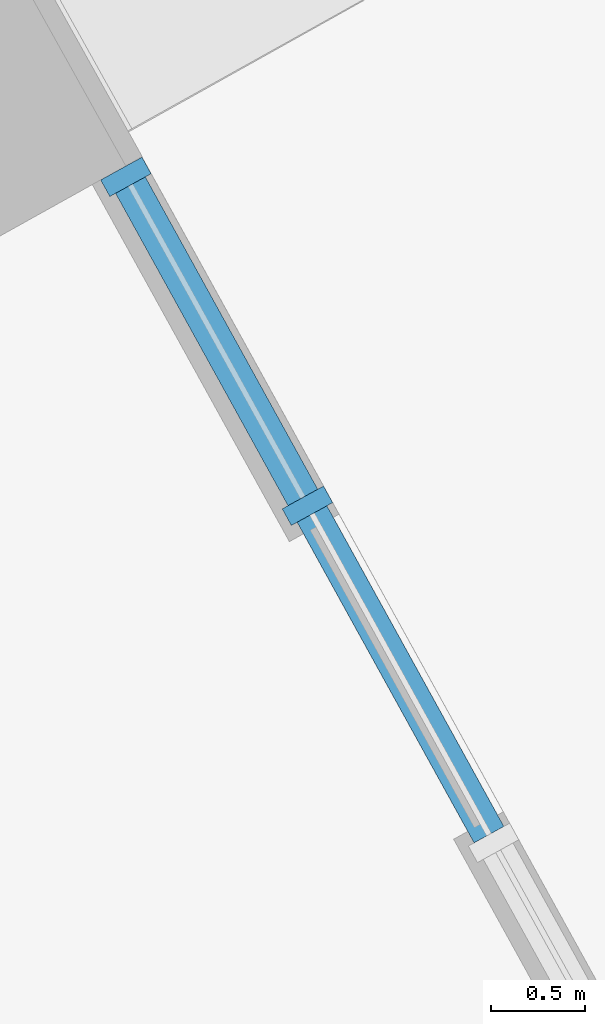
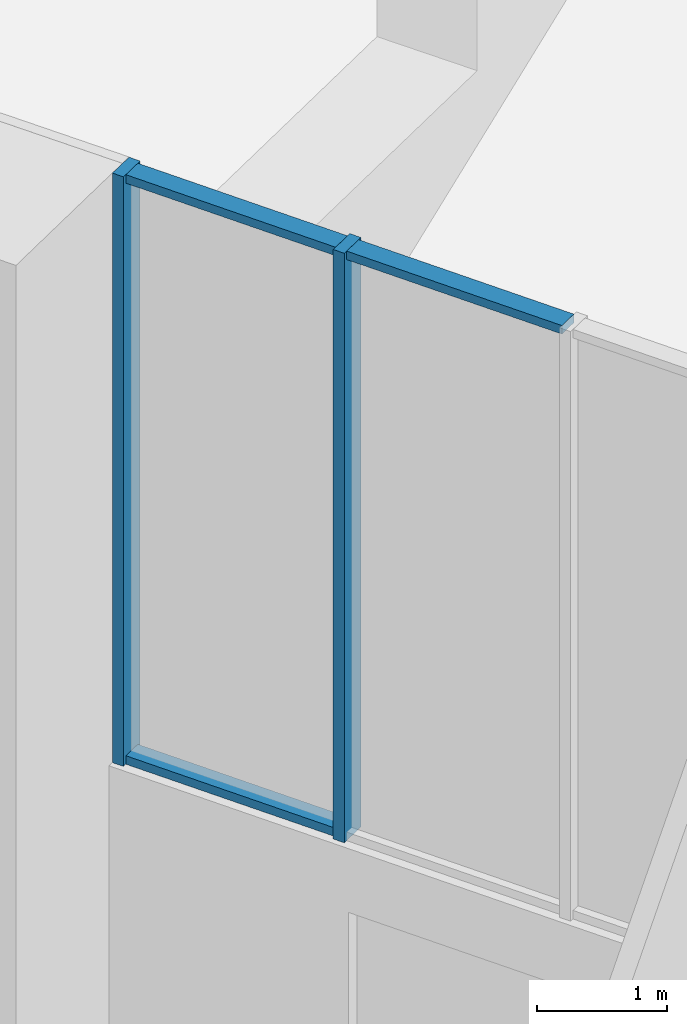
# One storey, part 7 of 36: 5 members, 1 element without a shape of its own.
"""IFC4 building model written with IfcOpenShell, lengths in metres."""

from ifc_helpers import new_model, si_unit, direction, frame, origin, origin_2d, place, context, subcontext, project, spatial, rectangle, extrude, material, material_profile, profile_set, type_object, element, aggregate, save


model = new_model("IFC4")

# Units and contexts
model_context = context("Model", 3, precision=1e-05, world=origin(), true_north=direction((0.0, 1.0)))
body_context = subcontext(model_context, "Body", "Model", "MODEL_VIEW")
ifc_project = project(units=[si_unit("LENGTHUNIT", "METRE"), si_unit("AREAUNIT", "SQUARE_METRE"), si_unit("VOLUMEUNIT", "CUBIC_METRE"), si_unit("PLANEANGLEUNIT", "RADIAN"), si_unit("MASSUNIT", "GRAM", prefix="KILO")], contexts=[model_context])

# Site, building, storey
site_placement = place(None, origin())
site = spatial("IfcSite", under=ifc_project, at=site_placement, CompositionType="ELEMENT")
building_placement = place(site_placement, origin())
building = spatial("IfcBuilding", under=site, at=building_placement, Name="Entoto Arch Interchange Tower", CompositionType="ELEMENT")
storey_placement = place(building_placement, origin())
storey = spatial("IfcBuildingStorey", under=building, at=storey_placement, Name="L00", CompositionType="ELEMENT", Elevation=0.0)

# Curtain wall, members
ifc_material = material(Name="Aluminium, anodised", Category="aluminium")
curtain_wall_type = type_object("IfcCurtainWallType", Name="CURTAIN WALL GATE HALL", PredefinedType="NOTDEFINED", material=ifc_material)
curtain_wall_placement = place(storey_placement, origin())
curtain_wall = element("IfcCurtainWall", 1, at=curtain_wall_placement, inside=storey, type_object=curtain_wall_type, Name="Gate Hall glazing NE-03 L00", PredefinedType="NOTDEFINED")
ifc_material_profile_1 = material_profile(ifc_material, rectangle(XDim=0.25, YDim=0.10009765625, at=origin_2d()))
ifc_profile_set_1 = profile_set([ifc_material_profile_1], Name="Aluminium, anodised")
member_type_1 = type_object("IfcMemberType", Name="MULLION GATE HALL 100x250", PredefinedType="MULLION", material=ifc_profile_set_1)
member_1_placement = place(storey_placement, frame((31.702392578125, 2.577880859375, 3.0), z_axis=(0.0, 0.0, 1.0), x_axis=(-0.875472745573, -0.483267495036, 0.0)))
member_1 = element("IfcMember", 2, at=member_1_placement, type_object=member_type_1, Name="CWG mullion 3", PredefinedType="MULLION", context=body_context, shape_type="SweptSolid", body=[
    extrude(rectangle(XDim=0.25, YDim=0.10009765625, at=origin_2d()), origin(), (0.0, 0.0, 1.0), 5.550048828125),
])
member_2_placement = place(storey_placement, frame((30.7412109375, 4.3193359375, 3.0), z_axis=(0.0, 0.0, 1.0), x_axis=(-0.875472745573, -0.483267495036, 0.0)))
member_2 = element("IfcMember", 3, at=member_2_placement, type_object=member_type_1, Name="CWG mullion 4", PredefinedType="MULLION", context=body_context, shape_type="SweptSolid", body=[
    extrude(rectangle(XDim=0.25, YDim=0.10009765625, at=origin_2d()), origin(), (0.0, 0.0, 1.0), 5.550048828125),
])
ifc_material_profile_2 = material_profile(ifc_material, rectangle(XDim=0.179931640625, YDim=0.080078125, at=origin_2d()))
ifc_profile_set_2 = profile_set([ifc_material_profile_2], Name="Aluminium, anodised")
member_type_2 = type_object("IfcMemberType", Name="TRANSOM GATE HALL 80x180", PredefinedType="USERDEFINED", material=ifc_profile_set_2)
member_3_placement = place(storey_placement, frame((32.66357421875, 0.836669921875, 8.510009765625), z_axis=(-0.48325707838, 0.875478495564, 0.0), x_axis=(-0.875478495564, -0.48325707838, 0.0)))
member_3 = element("IfcMember", 4, at=member_3_placement, type_object=member_type_2, Name="CWG transom 2.2", ObjectType="TRANSOM", PredefinedType="USERDEFINED", context=body_context, shape_type="SweptSolid", body=[
    extrude(rectangle(XDim=0.179931640625, YDim=0.080078125, at=origin_2d()), origin(), (0.0, 0.0, 1.0), 1.93896484375),
])
member_4_placement = place(storey_placement, frame((31.67822265625, 2.621826171875, 3.0400390625), z_axis=(-0.483292599842, 0.875458887063, 0.0), x_axis=(-0.875458887063, -0.483292599842, 0.0)))
member_4 = element("IfcMember", 5, at=member_4_placement, type_object=member_type_2, Name="CWG transom 3.1", ObjectType="TRANSOM", PredefinedType="USERDEFINED", context=body_context, shape_type="SweptSolid", body=[
    extrude(rectangle(XDim=0.179931640625, YDim=0.080078125, at=origin_2d()), origin(), (0.0, 0.0, 1.0), 1.888916015625),
])
member_5_placement = place(storey_placement, frame((31.67822265625, 2.621826171875, 8.510009765625), z_axis=(-0.483292599842, 0.875458887063, 0.0), x_axis=(-0.875458887063, -0.483292599842, 0.0)))
member_5 = element("IfcMember", 6, at=member_5_placement, type_object=member_type_2, Name="CWG transom 3.2", ObjectType="TRANSOM", PredefinedType="USERDEFINED", context=body_context, shape_type="SweptSolid", body=[
    extrude(rectangle(XDim=0.179931640625, YDim=0.080078125, at=origin_2d()), origin(), (0.0, 0.0, 1.0), 1.888916015625),
])
aggregate(curtain_wall, [member_1, member_2, member_3, member_4, member_5])

save(model, "model.ifc")
